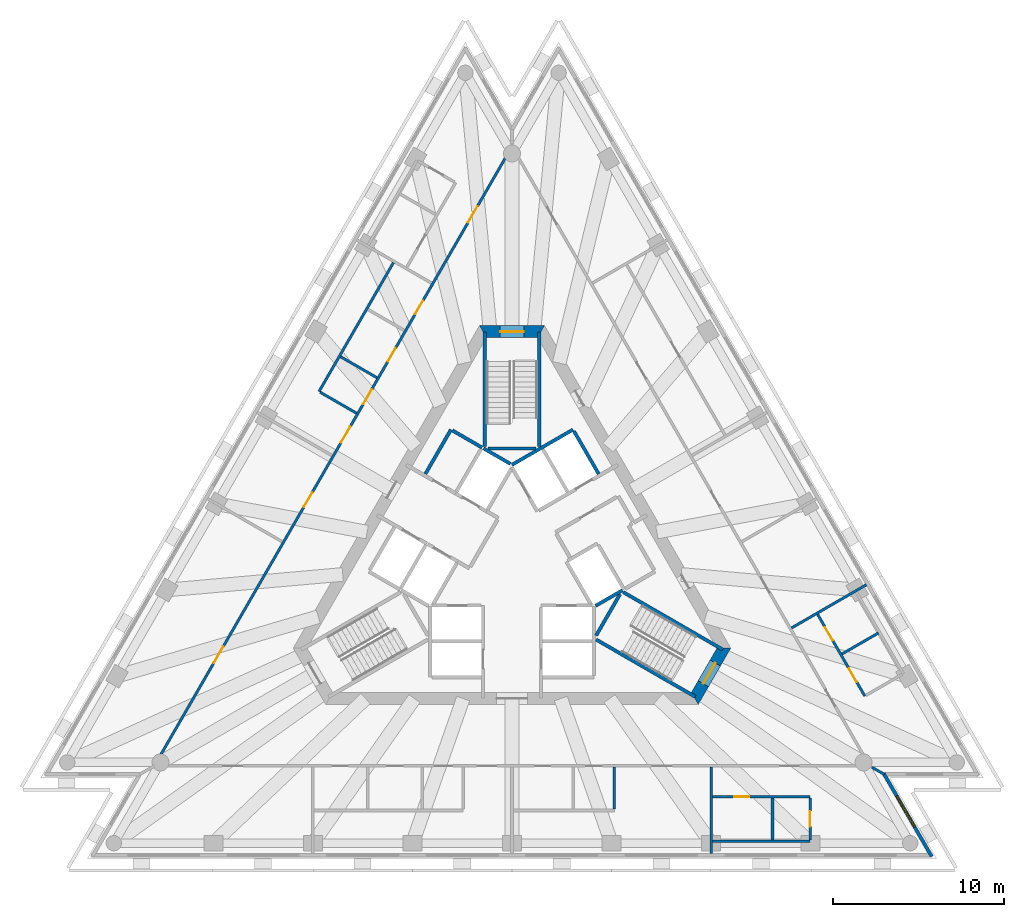
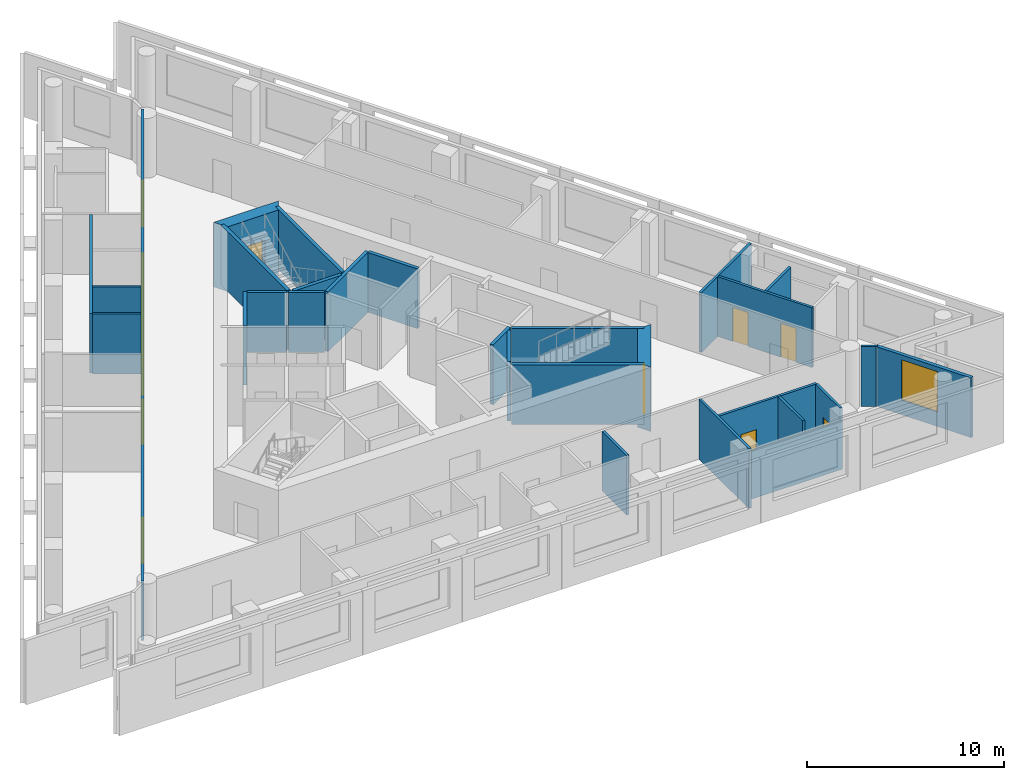
# One storey, part 5 of 10: 29 walls, 13 doors, 1 window, 14 openings.
"""IFC4 building model written with IfcOpenShell, lengths in metres."""

from ifc_helpers import new_model, si_unit, direction, frame, frame_2d, origin, place, context, subcontext, project, spatial, polyline, rectangle, outline, extrude, material, layer, layer_set, layer_usage, type_object, element, fill, save


model = new_model("IFC4")

# Units and contexts
model_context = context("Model", 3, precision=1e-05, world=origin(), true_north=direction((0.0, 1.0)))
body_context = subcontext(model_context, "Body", "Model", "MODEL_VIEW")
ifc_project = project(units=[si_unit("LENGTHUNIT", "METRE"), si_unit("AREAUNIT", "SQUARE_METRE"), si_unit("VOLUMEUNIT", "CUBIC_METRE"), si_unit("PLANEANGLEUNIT", "RADIAN"), si_unit("MASSUNIT", "GRAM", prefix="KILO")], contexts=[model_context])

# Site, building, storey
site_placement = place(None, origin())
site = spatial("IfcSite", under=ifc_project, at=site_placement, CompositionType="ELEMENT")
building_placement = place(site_placement, origin())
building = spatial("IfcBuilding", under=site, at=building_placement, Name="Triada Interchange Tower", CompositionType="ELEMENT")
storey_placement = place(building_placement, frame((0.0, 0.0, 243.300048828125)))
storey = spatial("IfcBuildingStorey", under=building, at=storey_placement, Name="L57", CompositionType="ELEMENT", Elevation=243.300048828125)

# Walls
ifc_material_1 = material(Name="Concrete C30/37", Category="concrete")
ifc_layer_1 = layer(ifc_material_1, 0.199951171875)
ifc_layer_set_1 = layer_set([ifc_layer_1], Name="CORE WALL 200 EI 120")
wall_type_1 = type_object("IfcWallType", Name="CORE WALL 200 EI 120", PredefinedType="SOLIDWALL", material=ifc_layer_set_1)
wall_1_placement = place(storey_placement, frame((-0.001953125, 5.541015625, 0.0), z_axis=(0.0, 0.0, 1.0), x_axis=(0.86600155993, 0.500041296494, 0.0)))
element("IfcWall", 1, at=wall_1_placement, inside=storey, type_object=wall_type_1, Name="Wall L56 51", PredefinedType="SOLIDWALL", context=body_context, shape_type="SweptSolid", body=[
    extrude(rectangle(XDim=4.131591796875, YDim=0.199951171875, at=frame_2d((2.06591796875, 0.0))), origin(), (0.0, 0.0, 1.0), 3.699951171875),
])
wall_2_placement = place(storey_placement, frame((3.6259765625, 7.52001953125, 0.0), z_axis=(0.0, 0.0, 1.0), x_axis=(0.500060147554, -0.865990674793, 0.0)))
element("IfcWall", 2, at=wall_2_placement, inside=storey, type_object=wall_type_1, Name="Wall L56 59", PredefinedType="SOLIDWALL", context=body_context, shape_type="SweptSolid", body=[
    extrude(rectangle(XDim=2.899658203125, YDim=0.199951171875, at=frame_2d((1.44970703125, 0.0))), origin(), (0.0, 0.0, 1.0), 3.699951171875),
])
wall_3_placement = place(storey_placement, frame((4.89990234375, -2.714111328125, 0.0), z_axis=(0.0, 0.0, 1.0), x_axis=(0.865846928409, 0.500309001083, 0.0)))
element("IfcWall", 3, at=wall_3_placement, inside=storey, type_object=wall_type_1, Name="Wall L56 62", PredefinedType="SOLIDWALL", context=body_context, shape_type="SweptSolid", body=[
    extrude(rectangle(XDim=1.813232421875, YDim=0.199951171875, at=frame_2d((0.90673828125, 0.0))), origin(), (0.0, 0.0, 1.0), 3.699951171875),
])
ifc_layer_2 = layer(ifc_material_1, 0.199951171875)
ifc_layer_set_2 = layer_set([ifc_layer_2], Name="CORE WALL 200 EI 180")
wall_type_2 = type_object("IfcWallType", Name="CORE WALL 200 EI 180", PredefinedType="SOLIDWALL", material=ifc_layer_set_2)
wall_4_placement = place(storey_placement, frame((-5.075927734375, 5.009033203125, 0.0), z_axis=(0.0, 0.0, 1.0), x_axis=(0.50002537861, 0.866010750942, 0.0)))
element("IfcWall", 4, at=wall_4_placement, inside=storey, type_object=wall_type_2, Name="Wall L56 70", PredefinedType="SOLIDWALL", context=body_context, shape_type="SweptSolid", body=[
    extrude(rectangle(XDim=2.999755859375, YDim=0.199951171875, at=frame_2d((1.5, 0.0))), origin(), (0.0, 0.0, 1.0), 3.699951171875),
])
wall_5_placement = place(storey_placement, frame((-3.489013671875, 7.556884765625, 0.0), z_axis=(0.0, 0.0, 1.0), x_axis=(0.866010750942, -0.50002537861, 0.0)))
element("IfcWall", 5, at=wall_5_placement, inside=storey, type_object=wall_type_2, Name="Wall L56 71", PredefinedType="SOLIDWALL", context=body_context, shape_type="SweptSolid", body=[
    extrude(rectangle(XDim=2.0, YDim=0.199951171875, at=frame_2d((1.0, 0.0))), origin(), (0.0, 0.0, 1.0), 3.699951171875),
])
wall_6_placement = place(storey_placement, frame((-1.669921875, 6.507080078125, 0.0), z_axis=(0.0, 0.0, 1.0), x_axis=(0.865941441609, -0.500145398563, 0.0)))
element("IfcWall", 6, at=wall_6_placement, inside=storey, type_object=wall_type_2, Name="Shaft wall FF2 L56 79", PredefinedType="SOLIDWALL", context=body_context, shape_type="SweptSolid", body=[
    extrude(rectangle(XDim=1.8154296875, YDim=0.199951171875, at=frame_2d((0.90771484375, 0.0))), origin(), (0.0, 0.0, 1.0), 3.699951171875),
])
ifc_layer_3 = layer(ifc_material_1, 0.199951171875)
ifc_layer_set_3 = layer_set([ifc_layer_3], Name="CORE WALL 200 REI 240")
wall_type_3 = type_object("IfcWallType", Name="CORE WALL 200 REI 240", PredefinedType="SOLIDWALL", material=ifc_layer_set_3)
wall_7_placement = place(storey_placement, frame((1.60009765625, 6.614990234375, 0.0), z_axis=(0.0, 0.0, 1.0), x_axis=(0.0, 1.0, 0.0)))
element("IfcWall", 7, at=wall_7_placement, inside=storey, type_object=wall_type_3, Name="Wall L56 87", PredefinedType="SOLIDWALL", context=body_context, shape_type="SweptSolid", body=[
    extrude(rectangle(XDim=6.715087890625, YDim=0.199951171875, at=frame_2d((3.357421875, 0.0))), origin(), (0.0, 0.0, 1.0), 3.699951171875),
])
wall_8_placement = place(storey_placement, frame((-1.39990234375, 6.5, 0.0), z_axis=(0.0, 0.0, 1.0), x_axis=(1.0, 0.0, 0.0)))
element("IfcWall", 8, at=wall_8_placement, inside=storey, type_object=wall_type_3, Name="Wall L56 88", PredefinedType="SOLIDWALL", context=body_context, shape_type="SweptSolid", body=[
    extrude(rectangle(XDim=2.7998046875, YDim=0.199951171875, at=frame_2d((1.39990234375, 0.0))), origin(), (0.0, 0.0, 1.0), 3.699951171875),
])
wall_9_placement = place(storey_placement, frame((-1.60009765625, 6.614990234375, 0.0), z_axis=(0.0, 0.0, 1.0), x_axis=(0.0, 1.0, 0.0)))
element("IfcWall", 9, at=wall_9_placement, inside=storey, type_object=wall_type_3, Name="Wall L56 89", PredefinedType="SOLIDWALL", context=body_context, shape_type="SweptSolid", body=[
    extrude(rectangle(XDim=6.715087890625, YDim=0.199951171875, at=frame_2d((3.357421875, 0.0))), origin(), (0.0, 0.0, 1.0), 3.699951171875),
])
wall_10_placement = place(storey_placement, frame((4.928955078125, -4.693115234375, 0.0), z_axis=(0.0, 0.0, 1.0), x_axis=(0.865983344943, -0.500072840975, 0.0)))
element("IfcWall", 10, at=wall_10_placement, inside=storey, type_object=wall_type_3, Name="Wall L56 90", PredefinedType="SOLIDWALL", context=body_context, shape_type="SweptSolid", body=[
    extrude(rectangle(XDim=6.71484375, YDim=0.199951171875, at=frame_2d((3.357421875, 0.0))), origin(), (0.0, 0.0, 1.0), 3.699951171875),
])
wall_11_placement = place(storey_placement, frame((4.928955078125, -4.4619140625, 0.0), z_axis=(0.0, 0.0, 1.0), x_axis=(0.500200581029, 0.865909567298, 0.0)))
element("IfcWall", 11, at=wall_11_placement, inside=storey, type_object=wall_type_3, Name="Wall L56 91", PredefinedType="SOLIDWALL", context=body_context, shape_type="SweptSolid", body=[
    extrude(rectangle(XDim=2.799072265625, YDim=0.199951171875, at=frame_2d((1.3994140625, 0.0))), origin(), (0.0, 0.0, 1.0), 3.699951171875),
])
wall_12_placement = place(storey_placement, frame((6.529052734375, -1.922119140625, 0.0), z_axis=(0.0, 0.0, 1.0), x_axis=(0.866046323291, -0.499963764601, 0.0)))
element("IfcWall", 12, at=wall_12_placement, inside=storey, type_object=wall_type_3, Name="Wall L56 92", PredefinedType="SOLIDWALL", context=body_context, shape_type="SweptSolid", body=[
    extrude(rectangle(XDim=6.71435546875, YDim=0.199951171875, at=frame_2d((3.357177734375, 0.0))), origin(), (0.0, 0.0, 1.0), 3.699951171875),
])

# Wall, opening, door
ifc_material_2 = material(Name="Concrete C50/60", Category="concrete")
ifc_layer_4 = layer(ifc_material_2, 0.699951171875)
ifc_layer_set_4 = layer_set([ifc_layer_4], Name="Core wall C 700")
wall_type_4 = type_object("IfcWallType", Name="Core wall C 700", PredefinedType="SHEAR", material=ifc_layer_set_4)
wall_13_placement = place(storey_placement, frame((1.702880859375, 13.35009765625, -0.300048828125), z_axis=(0.0, 0.0, 1.0), x_axis=(-1.0, 0.0, 0.0)))
wall_13 = element("IfcWall", 13, at=wall_13_placement, inside=storey, type_object=wall_type_4, Name="Core wall WC01 L57", PredefinedType="SHEAR", context=body_context, shape_type="SweptSolid", body=[
    extrude(outline(polyline([(-0.201904296875, -0.35009765625), (1.703125, -0.35009765625), (3.60791015625, -0.35009765625), (3.2041015625, 0.35009765625), (1.703125, 0.35009765625), (0.201904296875, 0.35009765625), (-0.201904296875, -0.35009765625)])), origin(), (0.0, 0.0, 1.0), 4.0),
])
opening_1_placement = place(wall_13_placement, frame((1.0029296875, 0.0, 0.300048828125)))
opening_1 = element("IfcOpeningElement", 14, at=opening_1_placement, cuts=wall_13, Name="Opening D56-40", PredefinedType="OPENING", context=body_context, shape_type="SweptSolid", body=[
    extrude(rectangle(XDim=1.39990234375, YDim=2.10009765625, at=frame_2d((0.699951171875, 1.050048828125))), frame((0.0, 0.360107421875, 0.0), z_axis=(0.0, -1.0, 0.0), x_axis=(1.0, 0.0, 0.0)), (0.0, 0.0, 1.0), 0.72021484375),
])
ifc_material_3 = material(Name="Steel S235 door leaf", Category="steel")
door_type_1 = type_object("IfcDoorType", Name="STAIR DOOR 1400 EI2 90-C5S200", OperationType="DOUBLE_DOOR_SINGLE_SWING", PredefinedType="DOOR", material=ifc_material_3)
door_1_placement = place(opening_1_placement, origin())
door_1 = element("IfcDoor", 15, at=door_1_placement, inside=storey, type_object=door_type_1, Name="Door D56-40 L57", OperationType="DOUBLE_DOOR_SINGLE_SWING", OverallHeight=2.10009765625, OverallWidth=1.39990234375, PredefinedType="DOOR", context=body_context, shape_type="SweptSolid", body=[
    extrude(rectangle(XDim=1.39990234375, YDim=2.10009765625, at=frame_2d((0.699951171875, 1.050048828125))), frame((0.0, 0.02490234375, 0.0), z_axis=(0.0, -1.0, 0.0), x_axis=(1.0, 0.0, 0.0)), (0.0, 0.0, 1.0), 0.050048828125),
])
fill(opening_1, door_1)

wall_14_placement = place(storey_placement, frame((10.7099609375, -8.14990234375, -0.300048828125), z_axis=(0.0, 0.0, 1.0), x_axis=(0.49999337185, 0.866029230515, 0.0)))
wall_14 = element("IfcWall", 16, at=wall_14_placement, inside=storey, type_object=wall_type_4, Name="Core wall WC05 L57", PredefinedType="SHEAR", context=body_context, shape_type="SweptSolid", body=[
    extrude(outline(polyline([(-0.201904296875, -0.35009765625), (1.703125, -0.35009765625), (3.60791015625, -0.35009765625), (3.2041015625, 0.35009765625), (1.703125, 0.35009765625), (0.201904296875, 0.35009765625), (-0.201904296875, -0.35009765625)])), origin(), (0.0, 0.0, 1.0), 4.0),
])
opening_2_placement = place(wall_14_placement, frame((1.0029296875, 0.0, 0.300048828125)))
opening_2 = element("IfcOpeningElement", 17, at=opening_2_placement, cuts=wall_14, Name="Opening D56-42", PredefinedType="OPENING", context=body_context, shape_type="SweptSolid", body=[
    extrude(rectangle(XDim=1.39990234375, YDim=2.10009765625, at=frame_2d((0.699951171875, 1.050048828125))), frame((0.0, 0.360107421875, 0.0), z_axis=(0.0, -1.0, 0.0), x_axis=(1.0, 0.0, 0.0)), (0.0, 0.0, 1.0), 0.72021484375),
])
door_2_placement = place(opening_2_placement, origin())
door_2 = element("IfcDoor", 18, at=door_2_placement, inside=storey, type_object=door_type_1, Name="Door D56-42 L57", OperationType="DOUBLE_DOOR_SINGLE_SWING", OverallHeight=2.10009765625, OverallWidth=1.39990234375, PredefinedType="DOOR", context=body_context, shape_type="SweptSolid", body=[
    extrude(rectangle(XDim=1.39990234375, YDim=2.10009765625, at=frame_2d((0.699951171875, 1.050048828125))), frame((0.0, 0.02490234375, 0.0), z_axis=(0.0, -1.0, 0.0), x_axis=(1.0, 0.0, 0.0)), (0.0, 0.0, 1.0), 0.050048828125),
])
fill(opening_2, door_2)

# Wall, opening, window
ifc_material_4 = material(Name="Cement board")
ifc_layer_5 = layer(ifc_material_4, 0.02001953125, Name="Cement board cladding")
ifc_material_5 = material(Name="Sheathing board")
ifc_layer_6 = layer(ifc_material_5, 0.014892578125, Name="Sheathing board")
ifc_material_6 = material(Name="Mineral wool")
ifc_layer_7 = layer(ifc_material_6, 0.14990234375, Name="Mineral wool between steel studs")
ifc_material_7 = material(Name="Gypsum board")
ifc_layer_8 = layer(ifc_material_7, 0.014892578125, Name="Plasterboard lining")
ifc_layer_set_5 = layer_set([ifc_layer_5, ifc_layer_6, ifc_layer_7, ifc_layer_8], Name="External wall 200")
ifc_layer_usage = layer_usage(ifc_layer_set_5, "AXIS2", "POSITIVE", -0.10009765625)
wall_type_5 = type_object("IfcWallType", Name="External wall 200", PredefinedType="ELEMENTEDWALL", material=ifc_layer_set_5)
wall_15_placement = place(storey_placement, frame((24.587890625, -17.402099609375, 0.0), z_axis=(0.0, 0.0, 1.0), x_axis=(-0.500033107516, 0.866006288307, 0.0)))
wall_15 = element("IfcWall", 19, at=wall_15_placement, inside=storey, type_object=wall_type_5, material=ifc_layer_usage, Name="External wall L57 SE-1", PredefinedType="ELEMENTEDWALL", context=body_context, shape_type="SweptSolid", body=[
    extrude(rectangle(XDim=5.62353515625, YDim=0.199951171875, at=frame_2d((2.811767578125, 0.0))), origin(), (0.0, 0.0, 1.0), 3.699951171875),
])
opening_3_placement = place(wall_15_placement, frame((1.989990234375, 0.0, 0.89990234375)))
opening_3 = element("IfcOpeningElement", 20, at=opening_3_placement, cuts=wall_15, Name="Opening WC19", PredefinedType="OPENING", context=body_context, shape_type="SweptSolid", body=[
    extrude(rectangle(XDim=2.10009765625, YDim=2.5, at=frame_2d((1.050048828125, 1.25))), frame((0.0, 0.10986328125, 0.0), z_axis=(0.0, -1.0, 0.0), x_axis=(1.0, 0.0, 0.0)), (0.0, 0.0, 1.0), 0.219970703125),
])
ifc_material_8 = material(Name="Double glazed aluminium window", Category="aluminium")
window_type = type_object("IfcWindowType", Name="Ribbon window C pocket", PartitioningType="SINGLE_PANEL", PredefinedType="WINDOW", material=ifc_material_8)
window_placement = place(opening_3_placement, origin())
window = element("IfcWindow", 21, at=window_placement, inside=storey, type_object=window_type, Name="Window L57 SE-1 1", OverallHeight=2.5, OverallWidth=2.10009765625, PartitioningType="SINGLE_PANEL", PredefinedType="WINDOW", context=body_context, shape_type="SweptSolid", body=[
    extrude(rectangle(XDim=2.10009765625, YDim=2.5, at=frame_2d((1.050048828125, 1.25))), frame((0.0, 0.030029296875, 0.0), z_axis=(0.0, -1.0, 0.0), x_axis=(1.0, 0.0, 0.0)), (0.0, 0.0, 1.0), 0.06005859375),
])
fill(opening_3, window)

# Wall, openings, doors
ifc_material_9 = material(Name="Gypsum board partition")
ifc_layer_9 = layer(ifc_material_9, 0.14990234375)
ifc_layer_set_6 = layer_set([ifc_layer_9], Name="PARTITION 150 EI 180")
wall_type_6 = type_object("IfcWallType", Name="PARTITION 150 EI 180", PredefinedType="PARTITIONING", material=ifc_layer_set_6)
wall_16_placement = place(storey_placement, frame((-20.883056640625, -11.969970703125, 0.0), z_axis=(0.0, 0.0, 1.0), x_axis=(0.500006150555, 0.866021852731, 0.0)))
wall_16 = element("IfcWall", 22, at=wall_16_placement, inside=storey, type_object=wall_type_6, Name="Wall L56 4", PredefinedType="PARTITIONING", context=body_context, shape_type="SweptSolid", body=[
    extrude(rectangle(XDim=41.765625, YDim=0.14990234375, at=frame_2d((20.8828125, 0.0))), origin(), (0.0, 0.0, 1.0), 3.699951171875),
])
opening_4_placement = place(wall_16_placement, frame((36.615966796875, 0.0, 0.0)))
opening_4 = element("IfcOpeningElement", 23, at=opening_4_placement, cuts=wall_16, Name="Opening D56-30", PredefinedType="OPENING", context=body_context, shape_type="SweptSolid", body=[
    extrude(rectangle(XDim=1.10009765625, YDim=2.10009765625, at=frame_2d((0.550048828125, 1.050048828125))), frame((0.0, 0.0849609375, 0.0), z_axis=(0.0, -1.0, 0.0), x_axis=(1.0, 0.0, 0.0)), (0.0, 0.0, 1.0), 0.169921875),
])
opening_5_placement = place(wall_16_placement, frame((21.722900390625, 0.0, 0.0)))
opening_5 = element("IfcOpeningElement", 24, at=opening_5_placement, cuts=wall_16, Name="Opening D56-33", PredefinedType="OPENING", context=body_context, shape_type="SweptSolid", body=[
    extrude(rectangle(XDim=1.10009765625, YDim=2.10009765625, at=frame_2d((0.550048828125, 1.050048828125))), frame((0.0, 0.0849609375, 0.0), z_axis=(0.0, -1.0, 0.0), x_axis=(1.0, 0.0, 0.0)), (0.0, 0.0, 1.0), 0.169921875),
])
opening_6_placement = place(wall_16_placement, frame((30.423095703125, 0.0, 0.0)))
opening_6 = element("IfcOpeningElement", 25, at=opening_6_placement, cuts=wall_16, Name="Opening D56-34", PredefinedType="OPENING", context=body_context, shape_type="SweptSolid", body=[
    extrude(rectangle(XDim=0.89990234375, YDim=2.10009765625, at=frame_2d((0.449951171875, 1.050048828125))), frame((0.0, 0.0849609375, 0.0), z_axis=(0.0, -1.0, 0.0), x_axis=(1.0, 0.0, 0.0)), (0.0, 0.0, 1.0), 0.169921875),
])
opening_7_placement = place(wall_16_placement, frame((27.222900390625, 0.0, 0.0)))
opening_7 = element("IfcOpeningElement", 26, at=opening_7_placement, cuts=wall_16, Name="Opening D56-35", PredefinedType="OPENING", context=body_context, shape_type="SweptSolid", body=[
    extrude(rectangle(XDim=0.89990234375, YDim=2.10009765625, at=frame_2d((0.449951171875, 1.050048828125))), frame((0.0, 0.0849609375, 0.0), z_axis=(0.0, -1.0, 0.0), x_axis=(1.0, 0.0, 0.0)), (0.0, 0.0, 1.0), 0.169921875),
])
opening_8_placement = place(wall_16_placement, frame((24.322998046875, 0.0, 0.0)))
opening_8 = element("IfcOpeningElement", 27, at=opening_8_placement, cuts=wall_16, Name="Opening D56-36", PredefinedType="OPENING", context=body_context, shape_type="SweptSolid", body=[
    extrude(rectangle(XDim=1.0, YDim=2.10009765625, at=frame_2d((0.5, 1.050048828125))), frame((0.0, 0.0849609375, 0.0), z_axis=(0.0, -1.0, 0.0), x_axis=(1.0, 0.0, 0.0)), (0.0, 0.0, 1.0), 0.169921875),
])
opening_9_placement = place(wall_16_placement, frame((17.35791015625, 0.0, 0.0)))
opening_9 = element("IfcOpeningElement", 28, at=opening_9_placement, cuts=wall_16, Name="Opening D56-37", PredefinedType="OPENING", context=body_context, shape_type="SweptSolid", body=[
    extrude(rectangle(XDim=1.0, YDim=2.10009765625, at=frame_2d((0.5, 1.050048828125))), frame((0.0, 0.0849609375, 0.0), z_axis=(0.0, -1.0, 0.0), x_axis=(1.0, 0.0, 0.0)), (0.0, 0.0, 1.0), 0.169921875),
])
opening_10_placement = place(wall_16_placement, frame((6.824951171875, 0.0, 0.0)))
opening_10 = element("IfcOpeningElement", 29, at=opening_10_placement, cuts=wall_16, Name="Opening D56-38", PredefinedType="OPENING", context=body_context, shape_type="SweptSolid", body=[
    extrude(rectangle(XDim=1.10009765625, YDim=2.10009765625, at=frame_2d((0.550048828125, 1.050048828125))), frame((0.0, 0.0849609375, 0.0), z_axis=(0.0, -1.0, 0.0), x_axis=(1.0, 0.0, 0.0)), (0.0, 0.0, 1.0), 0.169921875),
])
door_type_2 = type_object("IfcDoorType", Name="ROOM DOOR 1000 EI2 90-C5S200", OperationType="NOTDEFINED", PredefinedType="DOOR", material=ifc_material_3)
door_3_placement = place(opening_8_placement, origin())
door_3 = element("IfcDoor", 30, at=door_3_placement, inside=storey, type_object=door_type_2, Name="Door D56-36 L57", OperationType="SINGLE_SWING_RIGHT", OverallHeight=2.10009765625, OverallWidth=1.0, PredefinedType="DOOR", context=body_context, shape_type="SweptSolid", body=[
    extrude(rectangle(XDim=1.0, YDim=2.10009765625, at=frame_2d((0.5, 1.050048828125))), frame((0.0, 0.02490234375, 0.0), z_axis=(0.0, -1.0, 0.0), x_axis=(1.0, 0.0, 0.0)), (0.0, 0.0, 1.0), 0.050048828125),
])
fill(opening_8, door_3)
door_4_placement = place(opening_9_placement, origin())
door_4 = element("IfcDoor", 31, at=door_4_placement, inside=storey, type_object=door_type_2, Name="Door D56-37 L57", OperationType="SINGLE_SWING_RIGHT", OverallHeight=2.10009765625, OverallWidth=1.0, PredefinedType="DOOR", context=body_context, shape_type="SweptSolid", body=[
    extrude(rectangle(XDim=1.0, YDim=2.10009765625, at=frame_2d((0.5, 1.050048828125))), frame((0.0, 0.02490234375, 0.0), z_axis=(0.0, -1.0, 0.0), x_axis=(1.0, 0.0, 0.0)), (0.0, 0.0, 1.0), 0.050048828125),
])
fill(opening_9, door_4)
door_type_3 = type_object("IfcDoorType", Name="ROOM DOOR 900 EI2 90-C5S200", OperationType="NOTDEFINED", PredefinedType="DOOR", material=ifc_material_3)
door_5_placement = place(opening_6_placement, origin())
door_5 = element("IfcDoor", 32, at=door_5_placement, inside=storey, type_object=door_type_3, Name="Door D56-34 L57", OperationType="SINGLE_SWING_LEFT", OverallHeight=2.10009765625, OverallWidth=0.89990234375, PredefinedType="DOOR", context=body_context, shape_type="SweptSolid", body=[
    extrude(rectangle(XDim=0.89990234375, YDim=2.10009765625, at=frame_2d((0.449951171875, 1.050048828125))), frame((0.0, 0.02490234375, 0.0), z_axis=(0.0, -1.0, 0.0), x_axis=(1.0, 0.0, 0.0)), (0.0, 0.0, 1.0), 0.050048828125),
])
fill(opening_6, door_5)
door_6_placement = place(opening_7_placement, origin())
door_6 = element("IfcDoor", 33, at=door_6_placement, inside=storey, type_object=door_type_3, Name="Door D56-35 L57", OperationType="SINGLE_SWING_LEFT", OverallHeight=2.10009765625, OverallWidth=0.89990234375, PredefinedType="DOOR", context=body_context, shape_type="SweptSolid", body=[
    extrude(rectangle(XDim=0.89990234375, YDim=2.10009765625, at=frame_2d((0.449951171875, 1.050048828125))), frame((0.0, 0.02490234375, 0.0), z_axis=(0.0, -1.0, 0.0), x_axis=(1.0, 0.0, 0.0)), (0.0, 0.0, 1.0), 0.050048828125),
])
fill(opening_7, door_6)
door_type_4 = type_object("IfcDoorType", Name="TENANCY ENTRANCE DOOR 1100 EI2 90-C5S200", OperationType="NOTDEFINED", PredefinedType="DOOR", material=ifc_material_3)
door_7_placement = place(opening_4_placement, origin())
door_7 = element("IfcDoor", 34, at=door_7_placement, inside=storey, type_object=door_type_4, Name="Door D56-30 L57", OperationType="SINGLE_SWING_RIGHT", OverallHeight=2.10009765625, OverallWidth=1.10009765625, PredefinedType="DOOR", context=body_context, shape_type="SweptSolid", body=[
    extrude(rectangle(XDim=1.10009765625, YDim=2.10009765625, at=frame_2d((0.550048828125, 1.050048828125))), frame((0.0, 0.02490234375, 0.0), z_axis=(0.0, -1.0, 0.0), x_axis=(1.0, 0.0, 0.0)), (0.0, 0.0, 1.0), 0.050048828125),
])
fill(opening_4, door_7)
door_8_placement = place(opening_5_placement, origin())
door_8 = element("IfcDoor", 35, at=door_8_placement, inside=storey, type_object=door_type_4, Name="Door D56-33 L57", OperationType="SINGLE_SWING_LEFT", OverallHeight=2.10009765625, OverallWidth=1.10009765625, PredefinedType="DOOR", context=body_context, shape_type="SweptSolid", body=[
    extrude(rectangle(XDim=1.10009765625, YDim=2.10009765625, at=frame_2d((0.550048828125, 1.050048828125))), frame((0.0, 0.02490234375, 0.0), z_axis=(0.0, -1.0, 0.0), x_axis=(1.0, 0.0, 0.0)), (0.0, 0.0, 1.0), 0.050048828125),
])
fill(opening_5, door_8)
door_9_placement = place(opening_10_placement, origin())
door_9 = element("IfcDoor", 36, at=door_9_placement, inside=storey, type_object=door_type_4, Name="Door D56-38 L57", OperationType="SINGLE_SWING_LEFT", OverallHeight=2.10009765625, OverallWidth=1.10009765625, PredefinedType="DOOR", context=body_context, shape_type="SweptSolid", body=[
    extrude(rectangle(XDim=1.10009765625, YDim=2.10009765625, at=frame_2d((0.550048828125, 1.050048828125))), frame((0.0, 0.02490234375, 0.0), z_axis=(0.0, -1.0, 0.0), x_axis=(1.0, 0.0, 0.0)), (0.0, 0.0, 1.0), 0.050048828125),
])
fill(opening_10, door_9)

# Walls
wall_17_placement = place(storey_placement, frame((21.0869140625, -12.175048828125, 0.0), z_axis=(0.0, 0.0, 1.0), x_axis=(0.866078617559, -0.49990781971, 0.0)))
element("IfcWall", 37, at=wall_17_placement, inside=storey, type_object=wall_type_6, Name="Wall L56 7", PredefinedType="PARTITIONING", context=body_context, shape_type="SweptSolid", body=[
    extrude(rectangle(XDim=0.836181640625, YDim=0.14990234375, at=frame_2d((0.41796875, 0.0))), origin(), (0.0, 0.0, 1.0), 3.699951171875),
])
wall_18_placement = place(storey_placement, frame((-11.30810546875, 9.8369140625, 0.0), z_axis=(0.0, 0.0, 1.0), x_axis=(0.499958218515, 0.866049524992, 0.0)))
element("IfcWall", 38, at=wall_18_placement, inside=storey, type_object=wall_type_6, Name="Wall L56 11", PredefinedType="PARTITIONING", context=body_context, shape_type="SweptSolid", body=[
    extrude(rectangle(XDim=8.724853515625, YDim=0.14990234375, at=frame_2d((4.3623046875, 0.0))), origin(), (0.0, 0.0, 1.0), 3.699951171875),
])
for number, where, z_axis, x_axis, name in (
    (39, (-11.243896484375, 9.800048828125, 0.0), (0.0, 0.0, 1.0), (0.866099746043, -0.499871213318, 0.0), "Wall L56 12"),
    (40, (-10.0439453125, 11.8779296875, 0.0), (0.0, 0.0, 1.0), (0.86612451545, -0.499828294254, 0.0), "Wall L56 13"),
):
    element("IfcWall", number, at=place(storey_placement, frame(where, z_axis=z_axis, x_axis=x_axis)), inside=storey, type_object=wall_type_6, Name=name, PredefinedType="PARTITIONING", context=body_context, shape_type="SweptSolid", body=[
        extrude(rectangle(XDim=2.462646484375, YDim=0.14990234375, at=frame_2d((1.2314453125, 0.0))), origin(), (0.0, 0.0, 1.0), 3.699951171875),
    ])
wall_19_placement = place(storey_placement, frame((6.0, -14.636962890625, 0.0), z_axis=(0.0, 0.0, 1.0), x_axis=(0.0, 1.0, 0.0)))
element("IfcWall", 41, at=wall_19_placement, inside=storey, type_object=wall_type_6, Name="Wall L56 22", PredefinedType="PARTITIONING", context=body_context, shape_type="SweptSolid", body=[
    extrude(rectangle(XDim=2.4619140625, YDim=0.14990234375, at=frame_2d((1.23095703125, 0.0))), origin(), (0.0, 0.0, 1.0), 3.699951171875),
])
wall_20_placement = place(storey_placement, frame((11.6650390625, -17.243896484375, 0.0), z_axis=(0.0, 0.0, 1.0), x_axis=(0.0, 1.0, 0.0)))
element("IfcWall", 42, at=wall_20_placement, inside=storey, type_object=wall_type_6, Name="Wall L56 25", PredefinedType="PARTITIONING", context=body_context, shape_type="SweptSolid", body=[
    extrude(rectangle(XDim=5.06884765625, YDim=0.14990234375, at=frame_2d((2.534423828125, 0.0))), origin(), (0.0, 0.0, 1.0), 3.699951171875),
])
wall_21_placement = place(storey_placement, frame((16.376953125, -4.01611328125, 0.0), z_axis=(0.0, 0.0, 1.0), x_axis=(0.86598187042, 0.500075394419, 0.0)))
element("IfcWall", 43, at=wall_21_placement, inside=storey, type_object=wall_type_6, Name="Wall L56 27", PredefinedType="PARTITIONING", context=body_context, shape_type="SweptSolid", body=[
    extrude(rectangle(XDim=5.069580078125, YDim=0.14990234375, at=frame_2d((2.53466796875, 0.0))), origin(), (0.0, 0.0, 1.0), 3.699951171875),
])
ifc_layer_10 = layer(ifc_material_9, 0.14990234375)
ifc_layer_set_7 = layer_set([ifc_layer_10], Name="PARTITION 150 EI 90")
wall_type_7 = type_object("IfcWallType", Name="PARTITION 150 EI 90", PredefinedType="PARTITIONING", material=ifc_layer_set_7)
wall_22_placement = place(storey_placement, frame((11.739990234375, -16.511962890625, 0.0), z_axis=(0.0, 0.0, 1.0), x_axis=(1.0, 0.0, 0.0)))
element("IfcWall", 44, at=wall_22_placement, inside=storey, type_object=wall_type_7, Name="Wall L56 33", PredefinedType="PARTITIONING", context=body_context, shape_type="SweptSolid", body=[
    extrude(rectangle(XDim=5.72509765625, YDim=0.14990234375, at=frame_2d((2.862548828125, 0.0))), origin(), (0.0, 0.0, 1.0), 2.949951171875),
])

# Wall, opening, door
wall_23_placement = place(storey_placement, frame((11.739990234375, -13.89990234375, 0.0), z_axis=(0.0, 0.0, 1.0), x_axis=(1.0, 0.0, 0.0)))
wall_23 = element("IfcWall", 45, at=wall_23_placement, inside=storey, type_object=wall_type_7, Name="Wall L56 34", PredefinedType="PARTITIONING", context=body_context, shape_type="SweptSolid", body=[
    extrude(rectangle(XDim=5.72509765625, YDim=0.14990234375, at=frame_2d((2.862548828125, 0.0))), origin(), (0.0, 0.0, 1.0), 3.699951171875),
])
opening_11_placement = place(wall_23_placement, frame((1.27490234375, 0.0, 0.0)))
opening_11 = element("IfcOpeningElement", 46, at=opening_11_placement, cuts=wall_23, Name="Opening D56-20", PredefinedType="OPENING", context=body_context, shape_type="SweptSolid", body=[
    extrude(rectangle(XDim=0.89990234375, YDim=2.10009765625, at=frame_2d((0.449951171875, 1.050048828125))), frame((0.0, 0.0849609375, 0.0), z_axis=(0.0, -1.0, 0.0), x_axis=(1.0, 0.0, 0.0)), (0.0, 0.0, 1.0), 0.169921875),
])
door_type_5 = type_object("IfcDoorType", Name="ROOM DOOR 900 EI2 45-C5S200", OperationType="NOTDEFINED", PredefinedType="DOOR", material=ifc_material_3)
door_10_placement = place(opening_11_placement, origin())
door_10 = element("IfcDoor", 47, at=door_10_placement, inside=storey, type_object=door_type_5, Name="Door D56-20 L57", OperationType="SINGLE_SWING_RIGHT", OverallHeight=2.10009765625, OverallWidth=0.89990234375, PredefinedType="DOOR", context=body_context, shape_type="SweptSolid", body=[
    extrude(rectangle(XDim=0.89990234375, YDim=2.10009765625, at=frame_2d((0.449951171875, 1.050048828125))), frame((0.0, 0.02490234375, 0.0), z_axis=(0.0, -1.0, 0.0), x_axis=(1.0, 0.0, 0.0)), (0.0, 0.0, 1.0), 0.050048828125),
])
fill(opening_11, door_10)

wall_24_placement = place(storey_placement, frame((17.465087890625, -16.43701171875, 0.0), z_axis=(0.0, 0.0, 1.0), x_axis=(0.0, 1.0, 0.0)))
wall_24 = element("IfcWall", 48, at=wall_24_placement, inside=storey, type_object=wall_type_7, Name="Wall L56 35", PredefinedType="PARTITIONING", context=body_context, shape_type="SweptSolid", body=[
    extrude(rectangle(XDim=2.4619140625, YDim=0.14990234375, at=frame_2d((1.23095703125, 0.0))), origin(), (0.0, 0.0, 1.0), 3.699951171875),
])
opening_12_placement = place(wall_24_placement, frame((0.787109375, 0.0, 0.0)))
opening_12 = element("IfcOpeningElement", 49, at=opening_12_placement, cuts=wall_24, Name="Opening D56-21", PredefinedType="OPENING", context=body_context, shape_type="SweptSolid", body=[
    extrude(rectangle(XDim=0.89990234375, YDim=2.10009765625, at=frame_2d((0.449951171875, 1.050048828125))), frame((0.0, 0.0849609375, 0.0), z_axis=(0.0, -1.0, 0.0), x_axis=(1.0, 0.0, 0.0)), (0.0, 0.0, 1.0), 0.169921875),
])
door_type_6 = type_object("IfcDoorType", Name="SERVICE DOOR 900 EI2 45-C5S200", OperationType="NOTDEFINED", PredefinedType="DOOR", material=ifc_material_3)
door_11_placement = place(opening_12_placement, origin())
door_11 = element("IfcDoor", 50, at=door_11_placement, inside=storey, type_object=door_type_6, Name="Door D56-21 L57", OperationType="SINGLE_SWING_LEFT", OverallHeight=2.10009765625, OverallWidth=0.89990234375, PredefinedType="DOOR", context=body_context, shape_type="SweptSolid", body=[
    extrude(rectangle(XDim=0.89990234375, YDim=2.10009765625, at=frame_2d((0.449951171875, 1.050048828125))), frame((0.0, 0.02490234375, 0.0), z_axis=(0.0, -1.0, 0.0), x_axis=(1.0, 0.0, 0.0)), (0.0, 0.0, 1.0), 0.050048828125),
])
fill(opening_12, door_11)

# Walls
for number, where, z_axis, x_axis, name in (
    (51, (15.264892578125, -16.43701171875, 0.0), (0.0, 0.0, 1.0), (0.0, 1.0, 0.0), "Wall L56 36"),
    (52, (19.3359375, -5.5400390625, 0.0), (0.0, 0.0, 1.0), (0.866025399526, 0.500000007376, 0.0), "Wall L56 37"),
):
    element("IfcWall", number, at=place(storey_placement, frame(where, z_axis=z_axis, x_axis=x_axis)), inside=storey, type_object=wall_type_7, Name=name, PredefinedType="PARTITIONING", context=body_context, shape_type="SweptSolid", body=[
        extrude(rectangle(XDim=2.4619140625, YDim=0.14990234375, at=frame_2d((1.23095703125, 0.0))), origin(), (0.0, 0.0, 1.0), 3.699951171875),
    ])

# Wall, openings, doors
wall_25_placement = place(storey_placement, frame((17.907958984375, -3.218017578125, 0.0), z_axis=(0.0, 0.0, 1.0), x_axis=(0.500050108258, -0.865996471835, 0.0)))
wall_25 = element("IfcWall", 53, at=wall_25_placement, inside=storey, type_object=wall_type_7, Name="Wall L56 39", PredefinedType="PARTITIONING", context=body_context, shape_type="SweptSolid", body=[
    extrude(rectangle(XDim=5.525390625, YDim=0.14990234375, at=frame_2d((2.7626953125, 0.0))), origin(), (0.0, 0.0, 1.0), 3.699951171875),
])
opening_13_placement = place(wall_25_placement, frame((0.875, 0.0, 0.0)))
opening_13 = element("IfcOpeningElement", 54, at=opening_13_placement, cuts=wall_25, Name="Opening D56-23", PredefinedType="OPENING", context=body_context, shape_type="SweptSolid", body=[
    extrude(rectangle(XDim=0.89990234375, YDim=2.10009765625, at=frame_2d((0.449951171875, 1.050048828125))), frame((0.0, 0.0849609375, 0.0), z_axis=(0.0, -1.0, 0.0), x_axis=(1.0, 0.0, 0.0)), (0.0, 0.0, 1.0), 0.169921875),
])
opening_14_placement = place(wall_25_placement, frame((3.675048828125, 0.0, 0.0)))
opening_14 = element("IfcOpeningElement", 55, at=opening_14_placement, cuts=wall_25, Name="Opening D56-24", PredefinedType="OPENING", context=body_context, shape_type="SweptSolid", body=[
    extrude(rectangle(XDim=0.89990234375, YDim=2.10009765625, at=frame_2d((0.449951171875, 1.050048828125))), frame((0.0, 0.0849609375, 0.0), z_axis=(0.0, -1.0, 0.0), x_axis=(1.0, 0.0, 0.0)), (0.0, 0.0, 1.0), 0.169921875),
])
door_12_placement = place(opening_13_placement, origin())
door_12 = element("IfcDoor", 56, at=door_12_placement, inside=storey, type_object=door_type_5, Name="Door D56-23 L57", OperationType="SINGLE_SWING_LEFT", OverallHeight=2.10009765625, OverallWidth=0.89990234375, PredefinedType="DOOR", context=body_context, shape_type="SweptSolid", body=[
    extrude(rectangle(XDim=0.89990234375, YDim=2.10009765625, at=frame_2d((0.449951171875, 1.050048828125))), frame((0.0, 0.02490234375, 0.0), z_axis=(0.0, -1.0, 0.0), x_axis=(1.0, 0.0, 0.0)), (0.0, 0.0, 1.0), 0.050048828125),
])
fill(opening_13, door_12)
door_13_placement = place(opening_14_placement, origin())
door_13 = element("IfcDoor", 57, at=door_13_placement, inside=storey, type_object=door_type_5, Name="Door D56-24 L57", OperationType="SINGLE_SWING_LEFT", OverallHeight=2.10009765625, OverallWidth=0.89990234375, PredefinedType="DOOR", context=body_context, shape_type="SweptSolid", body=[
    extrude(rectangle(XDim=0.89990234375, YDim=2.10009765625, at=frame_2d((0.449951171875, 1.050048828125))), frame((0.0, 0.02490234375, 0.0), z_axis=(0.0, -1.0, 0.0), x_axis=(1.0, 0.0, 0.0)), (0.0, 0.0, 1.0), 0.050048828125),
])
fill(opening_14, door_13)

save(model, "model.ifc")
